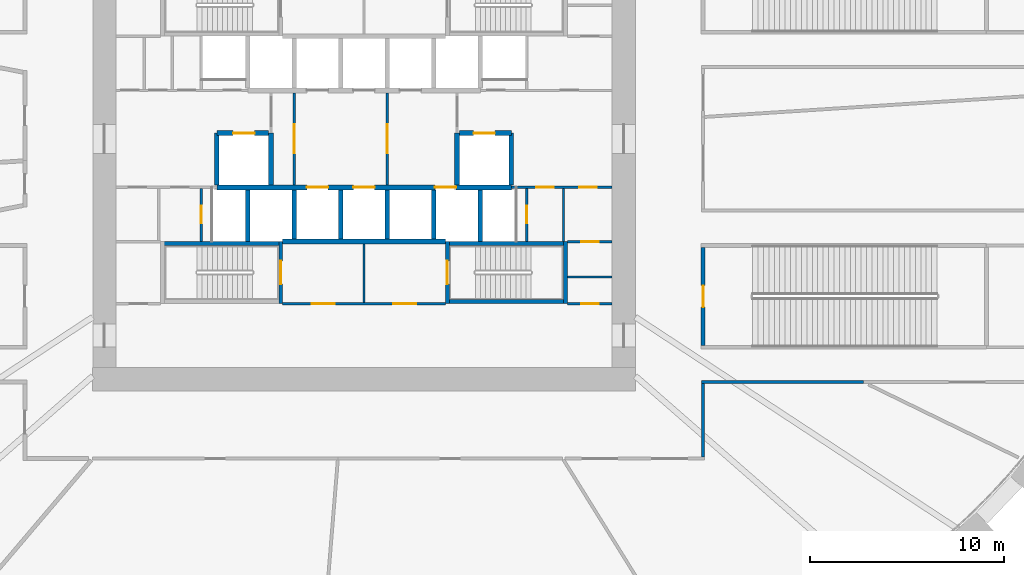
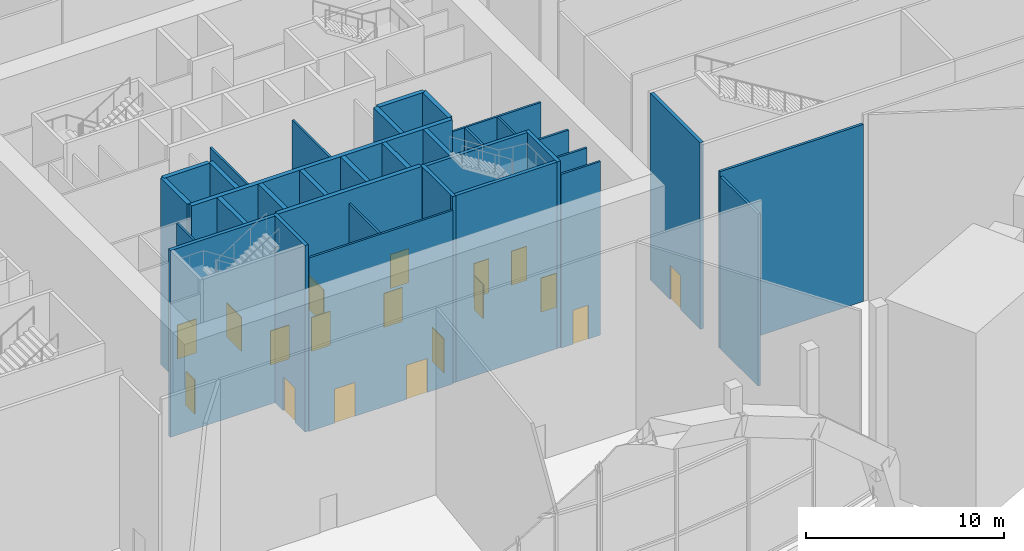
# One storey, part 8 of 21: 34 walls, 18 doors, 18 openings.
"""IFC4 building model written with IfcOpenShell, lengths in metres."""

from ifc_helpers import new_model, si_unit, direction, frame, frame_2d, origin, place, context, subcontext, project, spatial, rectangle, extrude, source, transform, mapped, material, layer, layer_set, type_object, element, fill, save


model = new_model("IFC4")

# Units and contexts
model_context = context("Model", 3, precision=1e-05, world=origin(), true_north=direction((0.0, 1.0)))
body_context = subcontext(model_context, "Body", "Model", "MODEL_VIEW")
ifc_project = project(units=[si_unit("LENGTHUNIT", "METRE"), si_unit("AREAUNIT", "SQUARE_METRE"), si_unit("VOLUMEUNIT", "CUBIC_METRE"), si_unit("PLANEANGLEUNIT", "RADIAN"), si_unit("MASSUNIT", "GRAM", prefix="KILO")], contexts=[model_context])

# Site, building, storey
site_placement = place(None, origin())
site = spatial("IfcSite", under=ifc_project, at=site_placement, CompositionType="ELEMENT")
building_placement = place(site_placement, origin())
building = spatial("IfcBuilding", under=site, at=building_placement, Name="Embergate Tower", CompositionType="ELEMENT")
storey_placement = place(building_placement, frame((0.0, 0.0, 12.0)))
storey = spatial("IfcBuildingStorey", under=building, at=storey_placement, Name="L01", CompositionType="ELEMENT", Elevation=12.0)

# Walls
ifc_material_1 = material(Name="Concrete C50", Category="concrete")
ifc_layer_1 = layer(ifc_material_1, 0.25)
ifc_layer_set_1 = layer_set([ifc_layer_1], Name="Concrete C50")
wall_type_1 = type_object("IfcWallType", Name="Hoistway wall reinforced concrete 250", PredefinedType="SHEAR", material=ifc_layer_set_1)
shared_shape_1 = source(origin(), body_context, "Body", "SweptSolid", [
    extrude(rectangle(XDim=2.675048828125, YDim=0.25, at=frame_2d((1.33740234375, 0.0))), origin(), (0.0, 0.0, 1.0), 11.5),
])
for number, where, z_axis, x_axis, name in (
    (1, (-6.0, -5.300048828125, 0.0), (0.0, 0.0, 1.0), (0.0, 1.0, 0.0), "HW-1 wall"),
    (2, (6.0, -5.300048828125, 0.0), (0.0, 0.0, 1.0), (0.0, 1.0, 0.0), "HW-1 wall"),
    (3, (-4.800048828125, 0.300048828125, 0.0), (0.0, 0.0, 1.0), (0.0, -1.0, 0.0), "HW-1 wall"),
    (4, (4.800048828125, -2.375, 0.0), (0.0, 0.0, 1.0), (0.0, 1.0, 0.0), "HW-1 wall"),
):
    element("IfcWall", number, at=place(storey_placement, frame(where, z_axis=z_axis, x_axis=x_axis)), inside=storey, type_object=wall_type_1, Name=name, PredefinedType="SHEAR", context=body_context, shape_type="MappedRepresentation", body=[
        mapped(shared_shape_1, transform((0.0, 0.0, 0.0))),
    ])

# Wall, opening, door
wall_1_placement = place(storey_placement, frame((-4.925048828125, 0.300048828125, 0.0), z_axis=(0.0, 0.0, 1.0), x_axis=(-1.0, 0.0, 0.0)))
wall_1 = element("IfcWall", 5, at=wall_1_placement, inside=storey, type_object=wall_type_1, Name="HW-1 wall", PredefinedType="SHEAR", context=body_context, shape_type="MappedRepresentation", body=[
    mapped(shared_shape_1, transform((0.0, 0.0, 0.0))),
])
shared_shape_2 = source(origin(), body_context, "Body", "SweptSolid", [
    extrude(rectangle(XDim=1.10009765625, YDim=2.10009765625, at=frame_2d((0.550048828125, 1.050048828125))), frame((0.0, 0.135009765625, 0.0), z_axis=(0.0, -1.0, 0.0), x_axis=(1.0, 0.0, 0.0)), (0.0, 0.0, 1.0), 0.27001953125),
])
opening_1_placement = place(wall_1_placement, frame((0.72509765625, 0.0, 0.0)))
opening_1 = element("IfcOpeningElement", 6, at=opening_1_placement, cuts=wall_1, Name="Opening LD", PredefinedType="OPENING", context=body_context, shape_type="MappedRepresentation", body=[
    mapped(shared_shape_2, transform((0.0, 0.0, 0.0))),
])
ifc_material_2 = material(Name="Landing door sliding 1100")
door_type_1 = type_object("IfcDoorType", Name="Landing door sliding 1100", OperationType="SLIDING_TO_LEFT", PredefinedType="DOOR", material=ifc_material_2)
shared_shape_3 = source(origin(), body_context, "Body", "SweptSolid", [
    extrude(rectangle(XDim=1.10009765625, YDim=2.10009765625, at=frame_2d((0.550048828125, 1.050048828125))), frame((0.0, 0.02490234375, 0.0), z_axis=(0.0, -1.0, 0.0), x_axis=(1.0, 0.0, 0.0)), (0.0, 0.0, 1.0), 0.050048828125),
])
door_1_placement = place(opening_1_placement, origin())
door_1 = element("IfcDoor", 7, at=door_1_placement, inside=storey, type_object=door_type_1, Name="LD door", OperationType="SLIDING_TO_RIGHT", OverallHeight=2.10009765625, OverallWidth=1.10009765625, PredefinedType="DOOR", context=body_context, shape_type="MappedRepresentation", body=[
    mapped(shared_shape_3, transform((0.0, 0.0, 0.0))),
])
fill(opening_1, door_1)

# Wall
wall_2_placement = place(storey_placement, frame((-7.60009765625, 0.300048828125, 0.0), z_axis=(0.0, 0.0, 1.0), x_axis=(0.0, -1.0, 0.0)))
element("IfcWall", 8, at=wall_2_placement, inside=storey, type_object=wall_type_1, Name="HW-1 wall", PredefinedType="SHEAR", context=body_context, shape_type="MappedRepresentation", body=[
    mapped(shared_shape_1, transform((0.0, 0.0, 0.0))),
])

# Wall, opening, door
wall_3_placement = place(storey_placement, frame((7.60009765625, 0.300048828125, 0.0), z_axis=(0.0, 0.0, 1.0), x_axis=(-1.0, 0.0, 0.0)))
wall_3 = element("IfcWall", 9, at=wall_3_placement, inside=storey, type_object=wall_type_1, Name="HW-1 wall", PredefinedType="SHEAR", context=body_context, shape_type="MappedRepresentation", body=[
    mapped(shared_shape_1, transform((0.0, 0.0, 0.0))),
])
opening_2_placement = place(wall_3_placement, frame((0.85009765625, 0.0, 0.0)))
opening_2 = element("IfcOpeningElement", 10, at=opening_2_placement, cuts=wall_3, Name="Opening LD", PredefinedType="OPENING", context=body_context, shape_type="MappedRepresentation", body=[
    mapped(shared_shape_2, transform((0.0, 0.0, 0.0))),
])
door_2_placement = place(opening_2_placement, origin())
door_2 = element("IfcDoor", 11, at=door_2_placement, inside=storey, type_object=door_type_1, Name="LD door", OperationType="SLIDING_TO_RIGHT", OverallHeight=2.10009765625, OverallWidth=1.10009765625, PredefinedType="DOOR", context=body_context, shape_type="MappedRepresentation", body=[
    mapped(shared_shape_3, transform((0.0, 0.0, 0.0))),
])
fill(opening_2, door_2)

# Walls
wall_4_placement = place(storey_placement, frame((7.60009765625, -2.375, 0.0), z_axis=(0.0, 0.0, 1.0), x_axis=(0.0, 1.0, 0.0)))
element("IfcWall", 12, at=wall_4_placement, inside=storey, type_object=wall_type_1, Name="HW-1 wall", PredefinedType="SHEAR", context=body_context, shape_type="MappedRepresentation", body=[
    mapped(shared_shape_1, transform((0.0, 0.0, 0.0))),
])
ifc_layer_2 = layer(ifc_material_1, 0.199951171875)
ifc_layer_set_2 = layer_set([ifc_layer_2], Name="Concrete C50")
wall_type_2 = type_object("IfcWallType", Name="Stair enclosure wall reinforced concrete 250", PredefinedType="SHEAR", material=ifc_layer_set_2)
shared_shape_4 = source(origin(), body_context, "Body", "SweptSolid", [
    extrude(rectangle(XDim=6.300048828125, YDim=0.199951171875, at=frame_2d((3.14990234375, 0.0))), origin(), (0.0, 0.0, 1.0), 11.5),
])
for number, where, z_axis, x_axis, name in (
    (13, (-10.5, -5.39990234375, 0.0), (0.0, 0.0, 1.0), (1.0, 0.0, 0.0), "SE-1 wall"),
    (14, (4.199951171875, -5.39990234375, 0.0), (0.0, 0.0, 1.0), (1.0, 0.0, 0.0), "SE-1 wall"),
    (15, (4.199951171875, -8.39990234375, 0.0), (0.0, 0.0, 1.0), (1.0, 0.0, 0.0), "SE-1 wall"),
):
    element("IfcWall", number, at=place(storey_placement, frame(where, z_axis=z_axis, x_axis=x_axis)), inside=storey, type_object=wall_type_2, Name=name, PredefinedType="SHEAR", context=body_context, shape_type="MappedRepresentation", body=[
        mapped(shared_shape_4, transform((0.0, 0.0, 0.0))),
    ])

# Wall, opening, door
ifc_material_3 = material(Name="Core partition blockwork 120")
ifc_layer_3 = layer(ifc_material_3, 0.1201171875)
ifc_layer_set_3 = layer_set([ifc_layer_3], Name="Core partition blockwork 120")
wall_type_3 = type_object("IfcWallType", Name="Core partition blockwork 120", PredefinedType="PARTITIONING", material=ifc_layer_set_3)
shared_shape_5 = source(origin(), body_context, "Body", "SweptSolid", [
    extrude(rectangle(XDim=2.739990234375, YDim=0.1201171875, at=frame_2d((1.3701171875, 0.0))), origin(), (0.0, 0.0, 1.0), 10.699951171875),
])
wall_5_placement = place(storey_placement, frame((-8.39990234375, -2.56005859375, 0.0), z_axis=(0.0, 0.0, 1.0), x_axis=(0.0, -1.0, 0.0)))
wall_5 = element("IfcWall", 16, at=wall_5_placement, inside=storey, type_object=wall_type_3, Name="IP-3 wall", PredefinedType="PARTITIONING", context=body_context, shape_type="MappedRepresentation", body=[
    mapped(shared_shape_5, transform((0.0, 0.0, 0.0))),
])
shared_shape_6 = source(origin(), body_context, "Body", "SweptSolid", [
    extrude(rectangle(XDim=0.89990234375, YDim=2.10009765625, at=frame_2d((0.449951171875, 1.050048828125))), frame((0.0, 0.070068359375, 0.0), z_axis=(0.0, -1.0, 0.0), x_axis=(1.0, 0.0, 0.0)), (0.0, 0.0, 1.0), 0.14013671875),
])
opening_3_placement = place(wall_5_placement, frame((0.889892578125, 0.0, 0.0)))
opening_3 = element("IfcOpeningElement", 17, at=opening_3_placement, cuts=wall_5, Name="Opening ID-1", PredefinedType="OPENING", context=body_context, shape_type="MappedRepresentation", body=[
    mapped(shared_shape_6, transform((0.0, 0.0, 0.0))),
])
ifc_material_4 = material(Name="Interior door 900")
door_type_2 = type_object("IfcDoorType", Name="Interior door 900", OperationType="SINGLE_SWING_LEFT", PredefinedType="DOOR", material=ifc_material_4)
shared_shape_7 = source(origin(), body_context, "Body", "SweptSolid", [
    extrude(rectangle(XDim=0.89990234375, YDim=2.10009765625, at=frame_2d((0.449951171875, 1.050048828125))), frame((0.0, 0.02490234375, 0.0), z_axis=(0.0, -1.0, 0.0), x_axis=(1.0, 0.0, 0.0)), (0.0, 0.0, 1.0), 0.050048828125),
])
door_3_placement = place(opening_3_placement, origin())
door_3 = element("IfcDoor", 18, at=door_3_placement, inside=storey, type_object=door_type_2, Name="ID-1 door", OperationType="SINGLE_SWING_RIGHT", OverallHeight=2.10009765625, OverallWidth=0.89990234375, PredefinedType="DOOR", context=body_context, shape_type="MappedRepresentation", body=[
    mapped(shared_shape_7, transform((0.0, 0.0, 0.0))),
])
fill(opening_3, door_3)

wall_6_placement = place(storey_placement, frame((8.39990234375, -5.300048828125, 0.0), z_axis=(0.0, 0.0, 1.0), x_axis=(0.0, 1.0, 0.0)))
wall_6 = element("IfcWall", 19, at=wall_6_placement, inside=storey, type_object=wall_type_3, Name="IP-3 wall", PredefinedType="PARTITIONING", context=body_context, shape_type="MappedRepresentation", body=[
    mapped(shared_shape_5, transform((0.0, 0.0, 0.0))),
])
opening_4_placement = place(wall_6_placement, frame((0.949951171875, 0.0, 0.0)))
opening_4 = element("IfcOpeningElement", 20, at=opening_4_placement, cuts=wall_6, Name="Opening ID-1", PredefinedType="OPENING", context=body_context, shape_type="MappedRepresentation", body=[
    mapped(shared_shape_6, transform((0.0, 0.0, 0.0))),
])
door_4_placement = place(opening_4_placement, origin())
door_4 = element("IfcDoor", 21, at=door_4_placement, inside=storey, type_object=door_type_2, Name="ID-1 door", OperationType="SINGLE_SWING_RIGHT", OverallHeight=2.10009765625, OverallWidth=0.89990234375, PredefinedType="DOOR", context=body_context, shape_type="MappedRepresentation", body=[
    mapped(shared_shape_7, transform((0.0, 0.0, 0.0))),
])
fill(opening_4, door_4)

# Walls
wall_7_placement = place(storey_placement, frame((10.2919921875, -5.300048828125, 0.0), z_axis=(0.0, 0.0, 1.0), x_axis=(0.0, 1.0, 0.0)))
element("IfcWall", 22, at=wall_7_placement, inside=storey, type_object=wall_type_3, Name="IP-3 wall", PredefinedType="PARTITIONING", context=body_context, shape_type="MappedRepresentation", body=[
    mapped(shared_shape_5, transform((0.0, 0.0, 0.0))),
])
shared_shape_8 = source(origin(), body_context, "Body", "SweptSolid", [
    extrude(rectangle(XDim=2.550048828125, YDim=0.25, at=frame_2d((1.27490234375, 0.0))), origin(), (0.0, 0.0, 1.0), 11.5),
])
for number, where, z_axis, x_axis, name in (
    (23, (-3.60009765625, -5.175048828125, 0.0), (0.0, 0.0, 1.0), (0.0, 1.0, 0.0), "HW-1 wall"),
    (24, (-1.199951171875, -5.175048828125, 0.0), (0.0, 0.0, 1.0), (0.0, 1.0, 0.0), "HW-1 wall"),
    (25, (1.199951171875, -5.175048828125, 0.0), (0.0, 0.0, 1.0), (0.0, 1.0, 0.0), "HW-1 wall"),
    (26, (3.60009765625, -5.175048828125, 0.0), (0.0, 0.0, 1.0), (0.0, 1.0, 0.0), "HW-1 wall"),
):
    element("IfcWall", number, at=place(storey_placement, frame(where, z_axis=z_axis, x_axis=x_axis)), inside=storey, type_object=wall_type_1, Name=name, PredefinedType="SHEAR", context=body_context, shape_type="MappedRepresentation", body=[
        mapped(shared_shape_8, transform((0.0, 0.0, 0.0))),
    ])
shared_shape_9 = source(origin(), body_context, "Body", "SweptSolid", [
    extrude(rectangle(XDim=8.39990234375, YDim=0.25, at=frame_2d((4.199951171875, 0.0))), origin(), (0.0, 0.0, 1.0), 11.5),
])
wall_8_placement = place(storey_placement, frame((-4.199951171875, -5.300048828125, 0.0), z_axis=(0.0, 0.0, 1.0), x_axis=(1.0, 0.0, 0.0)))
element("IfcWall", 27, at=wall_8_placement, inside=storey, type_object=wall_type_1, Name="HW-1 wall", PredefinedType="SHEAR", context=body_context, shape_type="MappedRepresentation", body=[
    mapped(shared_shape_9, transform((0.0, 0.0, 0.0))),
])

# Wall, openings, doors
shared_shape_10 = source(origin(), body_context, "Body", "SweptSolid", [
    extrude(rectangle(XDim=15.2001953125, YDim=0.25, at=frame_2d((7.60009765625, 0.0))), origin(), (0.0, 0.0, 1.0), 11.5),
])
wall_9_placement = place(storey_placement, frame((7.60009765625, -2.5, 0.0), z_axis=(0.0, 0.0, 1.0), x_axis=(-1.0, 0.0, 0.0)))
wall_9 = element("IfcWall", 28, at=wall_9_placement, inside=storey, type_object=wall_type_1, Name="HW-1 wall", PredefinedType="SHEAR", context=body_context, shape_type="MappedRepresentation", body=[
    mapped(shared_shape_10, transform((0.0, 0.0, 0.0))),
])
opening_5_placement = place(wall_9_placement, frame((9.449951171875, 0.0, 0.0)))
opening_5 = element("IfcOpeningElement", 29, at=opening_5_placement, cuts=wall_9, Name="Opening LD", PredefinedType="OPENING", context=body_context, shape_type="MappedRepresentation", body=[
    mapped(shared_shape_2, transform((0.0, 0.0, 0.0))),
])
opening_6_placement = place(wall_9_placement, frame((7.050048828125, 0.0, 0.0)))
opening_6 = element("IfcOpeningElement", 30, at=opening_6_placement, cuts=wall_9, Name="Opening LD", PredefinedType="OPENING", context=body_context, shape_type="MappedRepresentation", body=[
    mapped(shared_shape_2, transform((0.0, 0.0, 0.0))),
])
opening_7_placement = place(wall_9_placement, frame((2.85009765625, 0.0, 0.0)))
opening_7 = element("IfcOpeningElement", 31, at=opening_7_placement, cuts=wall_9, Name="Opening LD", PredefinedType="OPENING", context=body_context, shape_type="MappedRepresentation", body=[
    mapped(shared_shape_2, transform((0.0, 0.0, 0.0))),
])
door_5_placement = place(opening_5_placement, origin())
door_5 = element("IfcDoor", 32, at=door_5_placement, inside=storey, type_object=door_type_1, Name="LD door", OperationType="SLIDING_TO_LEFT", OverallHeight=2.10009765625, OverallWidth=1.10009765625, PredefinedType="DOOR", context=body_context, shape_type="MappedRepresentation", body=[
    mapped(shared_shape_3, transform((0.0, 0.0, 0.0))),
])
fill(opening_5, door_5)
door_6_placement = place(opening_6_placement, origin())
door_6 = element("IfcDoor", 33, at=door_6_placement, inside=storey, type_object=door_type_1, Name="LD door", OperationType="SLIDING_TO_LEFT", OverallHeight=2.10009765625, OverallWidth=1.10009765625, PredefinedType="DOOR", context=body_context, shape_type="MappedRepresentation", body=[
    mapped(shared_shape_3, transform((0.0, 0.0, 0.0))),
])
fill(opening_6, door_6)
door_7_placement = place(opening_7_placement, origin())
door_7 = element("IfcDoor", 34, at=door_7_placement, inside=storey, type_object=door_type_1, Name="LD door", OperationType="SLIDING_TO_LEFT", OverallHeight=2.10009765625, OverallWidth=1.10009765625, PredefinedType="DOOR", context=body_context, shape_type="MappedRepresentation", body=[
    mapped(shared_shape_3, transform((0.0, 0.0, 0.0))),
])
fill(opening_7, door_7)

shared_shape_11 = source(origin(), body_context, "Body", "SweptSolid", [
    extrude(rectangle(XDim=5.199951171875, YDim=0.1201171875, at=frame_2d((2.60009765625, 0.0))), origin(), (0.0, 0.0, 1.0), 10.699951171875),
])
wall_10_placement = place(storey_placement, frame((12.800048828125, -2.5, 0.0), z_axis=(0.0, 0.0, 1.0), x_axis=(-1.0, 0.0, 0.0)))
wall_10 = element("IfcWall", 35, at=wall_10_placement, inside=storey, type_object=wall_type_3, Name="IP-3 wall", PredefinedType="PARTITIONING", context=body_context, shape_type="MappedRepresentation", body=[
    mapped(shared_shape_11, transform((0.0, 0.0, 0.0))),
])
opening_8_placement = place(wall_10_placement, frame((3.00390625, 0.0, 0.0)))
opening_8 = element("IfcOpeningElement", 36, at=opening_8_placement, cuts=wall_10, Name="Opening ID-1", PredefinedType="OPENING", context=body_context, shape_type="MappedRepresentation", body=[
    mapped(shared_shape_6, transform((0.0, 0.0, 0.0))),
])
opening_9_placement = place(wall_10_placement, frame((0.803955078125, 0.0, 0.0)))
opening_9 = element("IfcOpeningElement", 37, at=opening_9_placement, cuts=wall_10, Name="Opening ID-1", PredefinedType="OPENING", context=body_context, shape_type="MappedRepresentation", body=[
    mapped(shared_shape_6, transform((0.0, 0.0, 0.0))),
])
door_8_placement = place(opening_8_placement, origin())
door_8 = element("IfcDoor", 38, at=door_8_placement, inside=storey, type_object=door_type_2, Name="ID-1 door", OperationType="SINGLE_SWING_RIGHT", OverallHeight=2.10009765625, OverallWidth=0.89990234375, PredefinedType="DOOR", context=body_context, shape_type="MappedRepresentation", body=[
    mapped(shared_shape_7, transform((0.0, 0.0, 0.0))),
])
fill(opening_8, door_8)
door_9_placement = place(opening_9_placement, origin())
door_9 = element("IfcDoor", 39, at=door_9_placement, inside=storey, type_object=door_type_2, Name="ID-1 door", OperationType="SINGLE_SWING_RIGHT", OverallHeight=2.10009765625, OverallWidth=0.89990234375, PredefinedType="DOOR", context=body_context, shape_type="MappedRepresentation", body=[
    mapped(shared_shape_7, transform((0.0, 0.0, 0.0))),
])
fill(opening_9, door_9)

# Wall, opening, door
shared_shape_12 = source(origin(), body_context, "Body", "SweptSolid", [
    extrude(rectangle(XDim=4.75, YDim=0.1201171875, at=frame_2d((2.375, 0.0))), origin(), (0.0, 0.0, 1.0), 10.699951171875),
])
wall_11_placement = place(storey_placement, frame((-3.60009765625, -2.375, 0.0), z_axis=(0.0, 0.0, 1.0), x_axis=(0.0, 1.0, 0.0)))
wall_11 = element("IfcWall", 40, at=wall_11_placement, inside=storey, type_object=wall_type_3, Name="IP-3 wall", PredefinedType="PARTITIONING", context=body_context, shape_type="MappedRepresentation", body=[
    mapped(shared_shape_12, transform((0.0, 0.0, 0.0))),
])
shared_shape_13 = source(origin(), body_context, "Body", "SweptSolid", [
    extrude(rectangle(XDim=1.5, YDim=2.10009765625, at=frame_2d((0.75, 1.050048828125))), frame((0.0, 0.070068359375, 0.0), z_axis=(0.0, -1.0, 0.0), x_axis=(1.0, 0.0, 0.0)), (0.0, 0.0, 1.0), 0.14013671875),
])
opening_10_placement = place(wall_11_placement, frame((1.625, 0.0, 0.0)))
opening_10 = element("IfcOpeningElement", 41, at=opening_10_placement, cuts=wall_11, Name="Opening IF-3", PredefinedType="OPENING", context=body_context, shape_type="MappedRepresentation", body=[
    mapped(shared_shape_13, transform((0.0, 0.0, 0.0))),
])
ifc_material_5 = material(Name="Lobby fire door pair 1500")
door_type_3 = type_object("IfcDoorType", Name="Lobby fire door pair 1500", OperationType="DOUBLE_DOOR_SINGLE_SWING", PredefinedType="DOOR", material=ifc_material_5)
shared_shape_14 = source(origin(), body_context, "Body", "SweptSolid", [
    extrude(rectangle(XDim=1.5, YDim=2.10009765625, at=frame_2d((0.75, 1.050048828125))), frame((0.0, 0.02490234375, 0.0), z_axis=(0.0, -1.0, 0.0), x_axis=(1.0, 0.0, 0.0)), (0.0, 0.0, 1.0), 0.050048828125),
])
door_10_placement = place(opening_10_placement, origin())
door_10 = element("IfcDoor", 42, at=door_10_placement, inside=storey, type_object=door_type_3, Name="IF-3 door", OperationType="DOUBLE_DOOR_SINGLE_SWING", OverallHeight=2.10009765625, OverallWidth=1.5, PredefinedType="DOOR", context=body_context, shape_type="MappedRepresentation", body=[
    mapped(shared_shape_14, transform((0.0, 0.0, 0.0))),
])
fill(opening_10, door_10)

wall_12_placement = place(storey_placement, frame((1.199951171875, -2.375, 0.0), z_axis=(0.0, 0.0, 1.0), x_axis=(0.0, 1.0, 0.0)))
wall_12 = element("IfcWall", 43, at=wall_12_placement, inside=storey, type_object=wall_type_3, Name="IP-3 wall", PredefinedType="PARTITIONING", context=body_context, shape_type="MappedRepresentation", body=[
    mapped(shared_shape_12, transform((0.0, 0.0, 0.0))),
])
opening_11_placement = place(wall_12_placement, frame((1.625, 0.0, 0.0)))
opening_11 = element("IfcOpeningElement", 44, at=opening_11_placement, cuts=wall_12, Name="Opening IF-3", PredefinedType="OPENING", context=body_context, shape_type="MappedRepresentation", body=[
    mapped(shared_shape_13, transform((0.0, 0.0, 0.0))),
])
door_11_placement = place(opening_11_placement, origin())
door_11 = element("IfcDoor", 45, at=door_11_placement, inside=storey, type_object=door_type_3, Name="IF-3 door", OperationType="DOUBLE_DOOR_SINGLE_SWING", OverallHeight=2.10009765625, OverallWidth=1.5, PredefinedType="DOOR", context=body_context, shape_type="MappedRepresentation", body=[
    mapped(shared_shape_14, transform((0.0, 0.0, 0.0))),
])
fill(opening_11, door_11)

shared_shape_15 = source(origin(), body_context, "Body", "SweptSolid", [
    extrude(rectangle(XDim=3.199951171875, YDim=0.199951171875, at=frame_2d((1.60009765625, 0.0))), origin(), (0.0, 0.0, 1.0), 11.5),
])
wall_13_placement = place(storey_placement, frame((-4.300048828125, -8.5, 0.0), z_axis=(0.0, 0.0, 1.0), x_axis=(0.0, 1.0, 0.0)))
wall_13 = element("IfcWall", 46, at=wall_13_placement, inside=storey, type_object=wall_type_2, Name="SE-1 wall", PredefinedType="SHEAR", context=body_context, shape_type="MappedRepresentation", body=[
    mapped(shared_shape_15, transform((0.0, 0.0, 0.0))),
])
shared_shape_16 = source(origin(), body_context, "Body", "SweptSolid", [
    extrude(rectangle(XDim=1.199951171875, YDim=2.10009765625, at=frame_2d((0.60009765625, 1.050048828125))), frame((0.0, 0.10986328125, 0.0), z_axis=(0.0, -1.0, 0.0), x_axis=(1.0, 0.0, 0.0)), (0.0, 0.0, 1.0), 0.219970703125),
])
opening_12_placement = place(wall_13_placement, frame((1.0, 0.0, 0.0)))
opening_12 = element("IfcOpeningElement", 47, at=opening_12_placement, cuts=wall_13, Name="Opening IF-2", PredefinedType="OPENING", context=body_context, shape_type="MappedRepresentation", body=[
    mapped(shared_shape_16, transform((0.0, 0.0, 0.0))),
])
ifc_material_6 = material(Name="Stair enclosure door 1200")
door_type_4 = type_object("IfcDoorType", Name="Stair enclosure door 1200", OperationType="SINGLE_SWING_LEFT", PredefinedType="DOOR", material=ifc_material_6)
shared_shape_17 = source(origin(), body_context, "Body", "SweptSolid", [
    extrude(rectangle(XDim=1.199951171875, YDim=2.10009765625, at=frame_2d((0.60009765625, 1.050048828125))), frame((0.0, 0.02490234375, 0.0), z_axis=(0.0, -1.0, 0.0), x_axis=(1.0, 0.0, 0.0)), (0.0, 0.0, 1.0), 0.050048828125),
])
door_12_placement = place(opening_12_placement, origin())
door_12 = element("IfcDoor", 48, at=door_12_placement, inside=storey, type_object=door_type_4, Name="IF-2 door", OperationType="SINGLE_SWING_RIGHT", OverallHeight=2.10009765625, OverallWidth=1.199951171875, PredefinedType="DOOR", context=body_context, shape_type="MappedRepresentation", body=[
    mapped(shared_shape_17, transform((0.0, 0.0, 0.0))),
])
fill(opening_12, door_12)

wall_14_placement = place(storey_placement, frame((4.300048828125, -5.300048828125, 0.0), z_axis=(0.0, 0.0, 1.0), x_axis=(0.0, -1.0, 0.0)))
wall_14 = element("IfcWall", 49, at=wall_14_placement, inside=storey, type_object=wall_type_2, Name="SE-1 wall", PredefinedType="SHEAR", context=body_context, shape_type="MappedRepresentation", body=[
    mapped(shared_shape_15, transform((0.0, 0.0, 0.0))),
])
opening_13_placement = place(wall_14_placement, frame((1.0, 0.0, 0.0)))
opening_13 = element("IfcOpeningElement", 50, at=opening_13_placement, cuts=wall_14, Name="Opening IF-2", PredefinedType="OPENING", context=body_context, shape_type="MappedRepresentation", body=[
    mapped(shared_shape_16, transform((0.0, 0.0, 0.0))),
])
door_13_placement = place(opening_13_placement, origin())
door_13 = element("IfcDoor", 51, at=door_13_placement, inside=storey, type_object=door_type_4, Name="IF-2 door", OperationType="SINGLE_SWING_RIGHT", OverallHeight=2.10009765625, OverallWidth=1.199951171875, PredefinedType="DOOR", context=body_context, shape_type="MappedRepresentation", body=[
    mapped(shared_shape_17, transform((0.0, 0.0, 0.0))),
])
fill(opening_13, door_13)

# Walls
wall_15_placement = place(storey_placement, frame((10.39990234375, -8.5, 0.0), z_axis=(0.0, 0.0, 1.0), x_axis=(0.0, 1.0, 0.0)))
element("IfcWall", 52, at=wall_15_placement, inside=storey, type_object=wall_type_2, Name="SE-1 wall", PredefinedType="SHEAR", context=body_context, shape_type="MappedRepresentation", body=[
    mapped(shared_shape_15, transform((0.0, 0.0, 0.0))),
])
shared_shape_18 = source(origin(), body_context, "Body", "SweptSolid", [
    extrude(rectangle(XDim=3.014892578125, YDim=0.1201171875, at=frame_2d((1.50732421875, 0.0))), origin(), (0.0, 0.0, 1.0), 10.699951171875),
])
wall_16_placement = place(storey_placement, frame((0.0, -8.43994140625, 0.0), z_axis=(0.0, 0.0, 1.0), x_axis=(0.0, 1.0, 0.0)))
element("IfcWall", 53, at=wall_16_placement, inside=storey, type_object=wall_type_3, Name="IP-3 wall", PredefinedType="PARTITIONING", context=body_context, shape_type="MappedRepresentation", body=[
    mapped(shared_shape_18, transform((0.0, 0.0, 0.0))),
])

# Wall, openings, doors
shared_shape_19 = source(origin(), body_context, "Body", "SweptSolid", [
    extrude(rectangle(XDim=8.39990234375, YDim=0.1201171875, at=frame_2d((4.199951171875, 0.0))), origin(), (0.0, 0.0, 1.0), 10.699951171875),
])
wall_17_placement = place(storey_placement, frame((-4.199951171875, -8.5, 0.0), z_axis=(0.0, 0.0, 1.0), x_axis=(1.0, 0.0, 0.0)))
wall_17 = element("IfcWall", 54, at=wall_17_placement, inside=storey, type_object=wall_type_3, Name="IP-3 wall", PredefinedType="PARTITIONING", context=body_context, shape_type="MappedRepresentation", body=[
    mapped(shared_shape_19, transform((0.0, 0.0, 0.0))),
])
shared_shape_20 = source(origin(), body_context, "Body", "SweptSolid", [
    extrude(rectangle(XDim=1.199951171875, YDim=2.10009765625, at=frame_2d((0.60009765625, 1.050048828125))), frame((0.0, 0.070068359375, 0.0), z_axis=(0.0, -1.0, 0.0), x_axis=(1.0, 0.0, 0.0)), (0.0, 0.0, 1.0), 0.14013671875),
])
opening_14_placement = place(wall_17_placement, frame((1.5, 0.0, 0.0)))
opening_14 = element("IfcOpeningElement", 55, at=opening_14_placement, cuts=wall_17, Name="Opening IF-3f", PredefinedType="OPENING", context=body_context, shape_type="MappedRepresentation", body=[
    mapped(shared_shape_20, transform((0.0, 0.0, 0.0))),
])
opening_15_placement = place(wall_17_placement, frame((5.699951171875, 0.0, 0.0)))
opening_15 = element("IfcOpeningElement", 56, at=opening_15_placement, cuts=wall_17, Name="Opening IF-3f", PredefinedType="OPENING", context=body_context, shape_type="MappedRepresentation", body=[
    mapped(shared_shape_20, transform((0.0, 0.0, 0.0))),
])
ifc_material_7 = material(Name="Lobby fire door pair 1200")
door_type_5 = type_object("IfcDoorType", Name="Lobby fire door pair 1200", OperationType="DOUBLE_DOOR_SINGLE_SWING", PredefinedType="DOOR", material=ifc_material_7)
door_14_placement = place(opening_14_placement, origin())
door_14 = element("IfcDoor", 57, at=door_14_placement, inside=storey, type_object=door_type_5, Name="IF-3 door", OperationType="DOUBLE_DOOR_SINGLE_SWING", OverallHeight=2.10009765625, OverallWidth=1.199951171875, PredefinedType="DOOR", context=body_context, shape_type="MappedRepresentation", body=[
    mapped(shared_shape_17, transform((0.0, 0.0, 0.0))),
])
fill(opening_14, door_14)
door_15_placement = place(opening_15_placement, origin())
door_15 = element("IfcDoor", 58, at=door_15_placement, inside=storey, type_object=door_type_5, Name="IF-3 door", OperationType="DOUBLE_DOOR_SINGLE_SWING", OverallHeight=2.10009765625, OverallWidth=1.199951171875, PredefinedType="DOOR", context=body_context, shape_type="MappedRepresentation", body=[
    mapped(shared_shape_17, transform((0.0, 0.0, 0.0))),
])
fill(opening_15, door_15)

# Wall, opening, door
shared_shape_21 = source(origin(), body_context, "Body", "SweptSolid", [
    extrude(rectangle(XDim=2.300048828125, YDim=0.1201171875, at=frame_2d((1.14990234375, 0.0))), origin(), (0.0, 0.0, 1.0), 10.699951171875),
])
wall_18_placement = place(storey_placement, frame((12.800048828125, -8.5, 0.0), z_axis=(0.0, 0.0, 1.0), x_axis=(-1.0, 0.0, 0.0)))
wall_18 = element("IfcWall", 59, at=wall_18_placement, inside=storey, type_object=wall_type_3, Name="IP-3 wall", PredefinedType="PARTITIONING", context=body_context, shape_type="MappedRepresentation", body=[
    mapped(shared_shape_21, transform((0.0, 0.0, 0.0))),
])
opening_16_placement = place(wall_18_placement, frame((0.699951171875, 0.0, 0.0)))
opening_16 = element("IfcOpeningElement", 60, at=opening_16_placement, cuts=wall_18, Name="Opening ID-1", PredefinedType="OPENING", context=body_context, shape_type="MappedRepresentation", body=[
    mapped(shared_shape_6, transform((0.0, 0.0, 0.0))),
])
door_16_placement = place(opening_16_placement, origin())
door_16 = element("IfcDoor", 61, at=door_16_placement, inside=storey, type_object=door_type_2, Name="ID-1 door", OperationType="SINGLE_SWING_LEFT", OverallHeight=2.10009765625, OverallWidth=0.89990234375, PredefinedType="DOOR", context=body_context, shape_type="MappedRepresentation", body=[
    mapped(shared_shape_7, transform((0.0, 0.0, 0.0))),
])
fill(opening_16, door_16)

wall_19_placement = place(storey_placement, frame((10.5, -5.300048828125, 0.0), z_axis=(0.0, 0.0, 1.0), x_axis=(1.0, 0.0, 0.0)))
wall_19 = element("IfcWall", 62, at=wall_19_placement, inside=storey, type_object=wall_type_3, Name="IP-3 wall", PredefinedType="PARTITIONING", context=body_context, shape_type="MappedRepresentation", body=[
    mapped(shared_shape_21, transform((0.0, 0.0, 0.0))),
])
opening_17_placement = place(wall_19_placement, frame((0.699951171875, 0.0, 0.0)))
opening_17 = element("IfcOpeningElement", 63, at=opening_17_placement, cuts=wall_19, Name="Opening ID-1", PredefinedType="OPENING", context=body_context, shape_type="MappedRepresentation", body=[
    mapped(shared_shape_6, transform((0.0, 0.0, 0.0))),
])
door_17_placement = place(opening_17_placement, origin())
door_17 = element("IfcDoor", 64, at=door_17_placement, inside=storey, type_object=door_type_2, Name="ID-1 door", OperationType="SINGLE_SWING_LEFT", OverallHeight=2.10009765625, OverallWidth=0.89990234375, PredefinedType="DOOR", context=body_context, shape_type="MappedRepresentation", body=[
    mapped(shared_shape_7, transform((0.0, 0.0, 0.0))),
])
fill(opening_17, door_17)

# Wall
wall_20_placement = place(storey_placement, frame((12.800048828125, -7.1240234375, 0.0), z_axis=(0.0, 0.0, 1.0), x_axis=(-1.0, 0.0, 0.0)))
element("IfcWall", 65, at=wall_20_placement, inside=storey, type_object=wall_type_3, Name="IP-3 wall", PredefinedType="PARTITIONING", context=body_context, shape_type="MappedRepresentation", body=[
    mapped(shared_shape_21, transform((0.0, 0.0, 0.0))),
])

# Wall, opening, door
ifc_material_8 = material(Name="Concrete C40", Category="concrete")
ifc_layer_4 = layer(ifc_material_8, 0.199951171875)
ifc_layer_set_4 = layer_set([ifc_layer_4], Name="Concrete C40")
wall_type_4 = type_object("IfcWallType", Name="Stair enclosure wall RC 200", PredefinedType="STANDARD", material=ifc_layer_set_4)
shared_shape_22 = source(origin(), body_context, "Body", "SweptSolid", [
    extrude(rectangle(XDim=5.0498046875, YDim=0.199951171875, at=frame_2d((2.52490234375, 0.0))), origin(), (0.0, 0.0, 1.0), 11.5),
])
wall_21_placement = place(storey_placement, frame((17.5, -5.60009765625, 0.0), z_axis=(0.0, 0.0, 1.0), x_axis=(0.0, -1.0, 0.0)))
wall_21 = element("IfcWall", 66, at=wall_21_placement, inside=storey, type_object=wall_type_4, Name="Stair wall 048", PredefinedType="STANDARD", context=body_context, shape_type="MappedRepresentation", body=[
    mapped(shared_shape_22, transform((0.0, 0.0, 0.0))),
])
shared_shape_23 = source(origin(), body_context, "Body", "SweptSolid", [
    extrude(rectangle(XDim=1.10009765625, YDim=2.10009765625, at=frame_2d((0.550048828125, 1.050048828125))), frame((0.0, 0.10986328125, 0.0), z_axis=(0.0, -1.0, 0.0), x_axis=(1.0, 0.0, 0.0)), (0.0, 0.0, 1.0), 0.219970703125),
])
opening_18_placement = place(wall_21_placement, frame((1.97509765625, 0.0, 0.0)))
opening_18 = element("IfcOpeningElement", 67, at=opening_18_placement, cuts=wall_21, Name="Opening DS-043", PredefinedType="OPENING", context=body_context, shape_type="MappedRepresentation", body=[
    mapped(shared_shape_23, transform((0.0, 0.0, 0.0))),
])
ifc_material_9 = material(Name="Steel fire door leaf", Category="steel")
door_type_6 = type_object("IfcDoorType", Name="Fire door class B 1100x2100", OperationType="SINGLE_SWING_LEFT", PredefinedType="DOOR", material=ifc_material_9)
shared_shape_24 = source(origin(), body_context, "Body", "SweptSolid", [
    extrude(rectangle(XDim=1.10009765625, YDim=2.10009765625, at=frame_2d((0.550048828125, 1.050048828125))), frame((0.0, 0.02490234375, 0.0), z_axis=(0.0, -1.0, 0.0), x_axis=(1.0, 0.0, 0.0)), (0.0, 0.0, 1.0), 0.050048828125),
])
door_18_placement = place(opening_18_placement, origin())
door_18 = element("IfcDoor", 68, at=door_18_placement, inside=storey, type_object=door_type_6, Name="Door to Exit stair enclosure", OperationType="SINGLE_SWING_LEFT", OverallHeight=2.10009765625, OverallWidth=1.10009765625, PredefinedType="DOOR", context=body_context, shape_type="MappedRepresentation", body=[
    mapped(shared_shape_24, transform((0.0, 0.0, 0.0))),
])
fill(opening_18, door_18)

# Walls
ifc_material_10 = material(Name="Plasterboard on steel stud", Category="steel")
ifc_layer_5 = layer(ifc_material_10, 0.14990234375)
ifc_layer_set_5 = layer_set([ifc_layer_5], Name="Plasterboard on steel stud")
wall_type_5 = type_object("IfcWallType", Name="Partition wall 150 board", PredefinedType="PARTITIONING", material=ifc_layer_set_5)
shared_shape_25 = source(origin(), body_context, "Body", "SweptSolid", [
    extrude(rectangle(XDim=3.800048828125, YDim=0.14990234375, at=frame_2d((1.89990234375, 0.0))), origin(), (0.0, 0.0, 1.0), 10.60009765625),
])
wall_22_placement = place(storey_placement, frame((17.5, -12.625, 0.0), z_axis=(0.0, 0.0, 1.0), x_axis=(0.0, -1.0, 0.0)))
element("IfcWall", 69, at=wall_22_placement, inside=storey, type_object=wall_type_5, Name="Partition 045", PredefinedType="PARTITIONING", context=body_context, shape_type="MappedRepresentation", body=[
    mapped(shared_shape_25, transform((0.0, 0.0, 0.0))),
])
shared_shape_26 = source(origin(), body_context, "Body", "SweptSolid", [
    extrude(rectangle(XDim=8.344970703125, YDim=0.14990234375, at=frame_2d((4.17236328125, 0.0))), origin(), (0.0, 0.0, 1.0), 10.912109375),
])
wall_23_placement = place(storey_placement, frame((17.425048828125, -12.550048828125, 0.0), z_axis=(0.0, 0.0, 1.0), x_axis=(1.0, 0.0, 0.0)))
element("IfcWall", 70, at=wall_23_placement, inside=storey, type_object=wall_type_5, Name="Partition 046", PredefinedType="PARTITIONING", context=body_context, shape_type="MappedRepresentation", body=[
    mapped(shared_shape_26, transform((0.0, 0.0, 0.0))),
])

save(model, "model.ifc")
